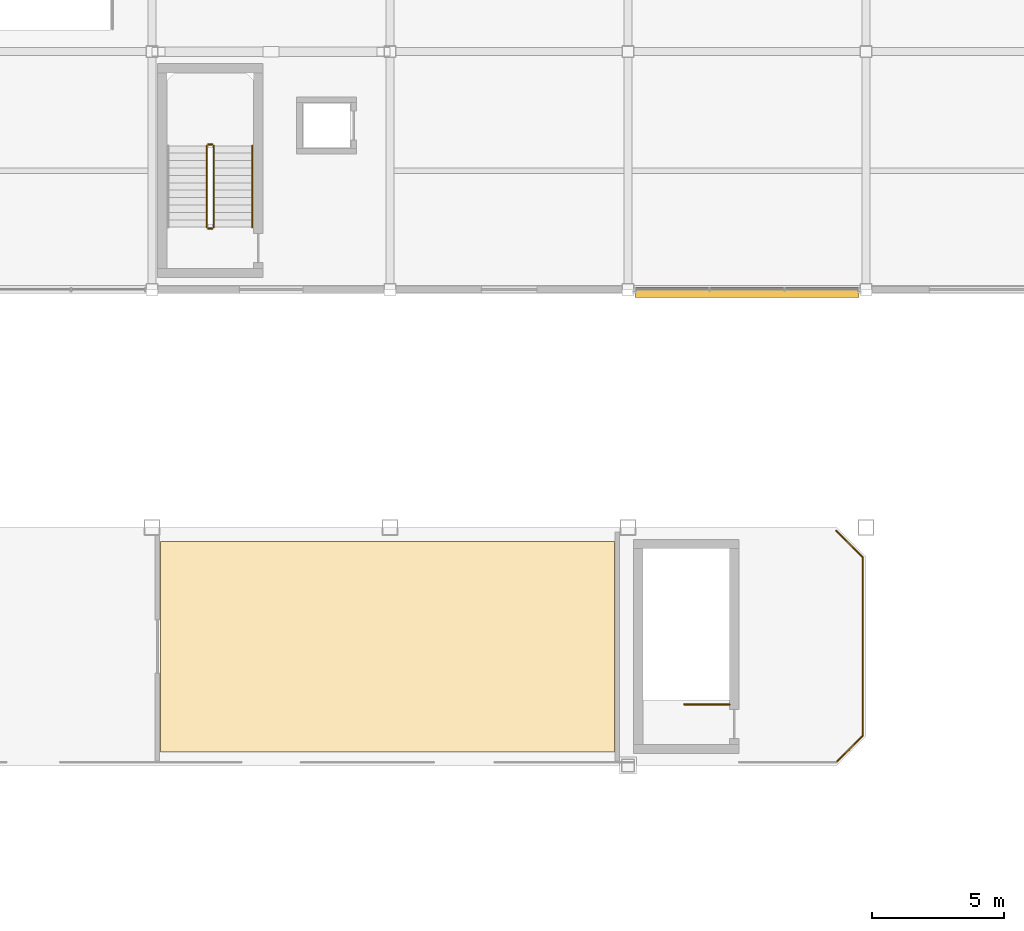
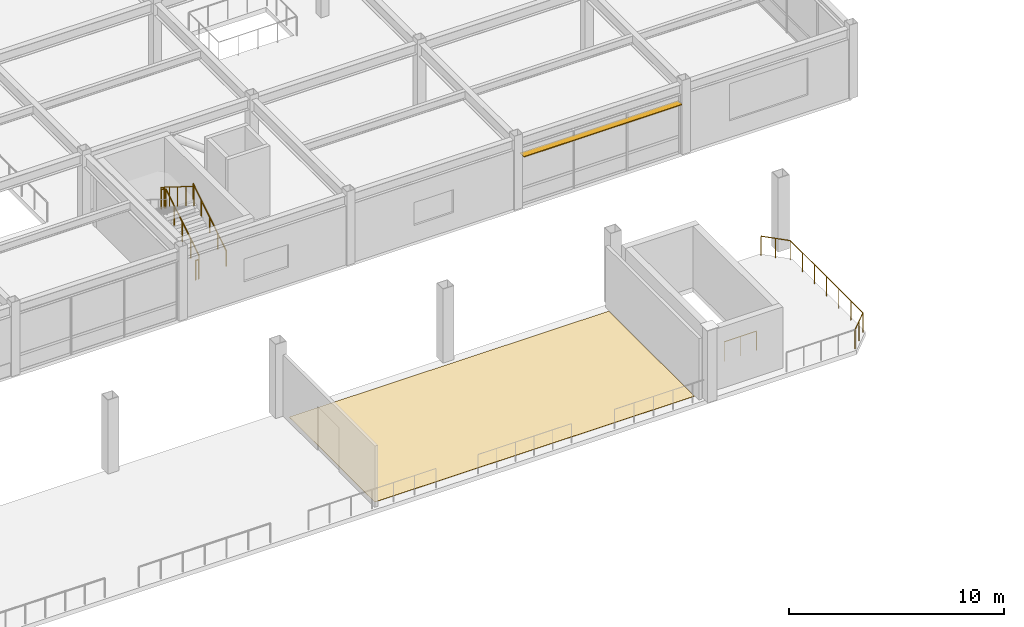
# One storey, part 97 of 105: 7 railings, 1 covering, 1 shading device.
"""IFC4 building model written with IfcOpenShell, lengths in metres."""

import ifcopenshell
import ifcopenshell.guid

model = None  # the IFC model being written
_history = None  # IfcOwnerHistory: only IFC2X3 demands one
_inside = {}  # id of a spatial element -> (the spatial element, [elements in it])
_under = {}  # id of a project, library or spatial element -> (it, [spatial elements below it])
_declared = {}  # id of a project -> (the project, [libraries it declares])
_typed = {}  # id of a type object -> (the type object, [elements of that type])
_made_of = {}  # id of a material, layer set ... -> (it, [elements and type objects made of it])


def new_model(schema):
    """Start an empty IFC model of exactly this schema.

    Asked for "IFC4X3", IfcOpenShell would pick the latest addendum, in which some entities
    have other attributes; the version numbers below select the first issue.
    IFC2X3 requires an IfcOwnerHistory on every rooted entity: one is made here for all.
    """
    global model, _history
    if schema == "IFC4X3":
        model = ifcopenshell.file(schema_version=(4, 3, 0, 0))
    else:
        model = ifcopenshell.file(schema=schema)
    _inside.clear()
    _under.clear()
    _declared.clear()
    _typed.clear()
    _made_of.clear()
    _history = None
    if model.schema == "IFC2X3":
        org = make("IfcOrganization", Name="unknown")
        user = make(
            "IfcPersonAndOrganization",
            ThePerson=make("IfcPerson", FamilyName="unknown"),
            TheOrganization=org,
        )
        app = make(
            "IfcApplication",
            ApplicationDeveloper=org,
            Version="unknown",
            ApplicationFullName="unknown",
            ApplicationIdentifier="unknown",
        )
        _history = make(
            "IfcOwnerHistory",
            OwningUser=user,
            OwningApplication=app,
            ChangeAction="ADDED",
            CreationDate=0,
        )
    return model


def make(cls, **values):
    """One entity of the class cls with the attributes given. An attribute that is None is left unset."""
    return model.create_entity(
        cls, **{name: value for name, value in values.items() if value is not None}
    )


def rooted(cls, **values):
    """An entity with a GlobalId (a new one), such as an element, a storey or a relation."""
    return make(cls, GlobalId=ifcopenshell.guid.new(), OwnerHistory=_history, **values)


def si_unit(unit_type, name, prefix=None):
    """IfcSIUnit, for example si_unit("LENGTHUNIT", "METRE", prefix="MILLI")."""
    return make("IfcSIUnit", UnitType=unit_type, Prefix=prefix, Name=name)


def assignment(units):
    """IfcUnitAssignment: the units of a project."""
    return None if units is None else make("IfcUnitAssignment", Units=units)


def point(xyz):
    """IfcCartesianPoint."""
    return None if xyz is None else make("IfcCartesianPoint", Coordinates=xyz)


def direction(xyz):
    """IfcDirection."""
    return None if xyz is None else make("IfcDirection", DirectionRatios=xyz)


def frame(location, z_axis=None, x_axis=None):
    """IfcAxis2Placement3D, a coordinate frame: its origin and axes. An axis left out is left unset."""
    return make(
        "IfcAxis2Placement3D",
        Location=point(location),
        Axis=direction(z_axis),
        RefDirection=direction(x_axis),
    )


def frame_2d(location, x_axis=None):
    """IfcAxis2Placement2D, a coordinate frame in the plane: its origin and x axis."""
    return make(
        "IfcAxis2Placement2D", Location=point(location), RefDirection=direction(x_axis)
    )


def origin():
    """The frame at (0, 0, 0) with its axes left unset."""
    return frame((0.0, 0.0, 0.0))


def origin_2d():
    """The frame at (0, 0) in the plane with its x axis left unset."""
    return frame_2d((0.0, 0.0))


def place(relative_to, where):
    """IfcLocalPlacement: puts the frame where relative to a parent placement (None: the world)."""
    return make(
        "IfcLocalPlacement", PlacementRelTo=relative_to, RelativePlacement=where
    )


def context(
    kind, dimensions, precision=None, world=None, true_north=None, identifier=None
):
    """IfcGeometricRepresentationContext, for example the 3D "Model" context."""
    return make(
        "IfcGeometricRepresentationContext",
        ContextIdentifier=identifier,
        ContextType=kind,
        CoordinateSpaceDimension=dimensions,
        Precision=precision,
        WorldCoordinateSystem=world,
        TrueNorth=true_north,
    )


def subcontext(parent, identifier, kind, view, scale=None):
    """IfcGeometricRepresentationSubContext, for example "Body" below "Model"."""
    return make(
        "IfcGeometricRepresentationSubContext",
        ContextIdentifier=identifier,
        ContextType=kind,
        ParentContext=parent,
        TargetScale=scale,
        TargetView=view,
    )


def project(units=None, contexts=None):
    """IfcProject with its units and contexts."""
    return rooted(
        "IfcProject",
        Name="project",
        RepresentationContexts=contexts,
        UnitsInContext=assignment(units),
    )


def spatial(cls, under=None, at=None, **own):
    """A site, building, storey or space (cls), placed at a placement, below another one or the project."""
    s = rooted(cls, ObjectPlacement=at, **own)
    if under is not None:
        _under.setdefault(under.id(), (under, []))[1].append(s)
    return s


def polyline(points):
    """IfcPolyline through the points."""
    return make("IfcPolyline", Points=[point(p) for p in points])


def profile(cls, at=None, kind="AREA", **sizes):
    """A parametric profile (cls). Its sizes go by their IFC names, for example OverallWidth=200.0."""
    return make(cls, ProfileType=kind, Position=at, **sizes)


def rectangle(**sizes):
    """IfcRectangleProfileDef."""
    return profile("IfcRectangleProfileDef", **sizes)


def circle(**sizes):
    """IfcCircleProfileDef."""
    return profile("IfcCircleProfileDef", **sizes)


def outline(outer, holes=None, kind="AREA"):
    """IfcArbitraryClosedProfileDef: a profile drawn as a closed curve; with holes, ...WithVoids."""
    if holes is None:
        return make("IfcArbitraryClosedProfileDef", ProfileType=kind, OuterCurve=outer)
    return make(
        "IfcArbitraryProfileDefWithVoids",
        ProfileType=kind,
        OuterCurve=outer,
        InnerCurves=holes,
    )


def extrude(swept, where, along, depth):
    """IfcExtrudedAreaSolid: the profile swept, set in the frame where, extruded along a direction by depth."""
    return make(
        "IfcExtrudedAreaSolid",
        SweptArea=swept,
        Position=where,
        ExtrudedDirection=direction(along),
        Depth=depth,
    )


def shape(context_of_items, identifier, shape_type, items):
    """IfcShapeRepresentation: the items that make up one representation, for example the "Body"."""
    return make(
        "IfcShapeRepresentation",
        ContextOfItems=context_of_items,
        RepresentationIdentifier=identifier,
        RepresentationType=shape_type,
        Items=items,
    )


def material(Name=None, Category=None):
    """IfcMaterial."""
    return make("IfcMaterial", Name=Name, Category=Category)


def layer(
    of_material, thickness, ventilated=None, Name=None, Category=None, Priority=None
):
    """IfcMaterialLayer: one layer of a wall or slab, of a material (None: an air gap)."""
    return make(
        "IfcMaterialLayer",
        Material=of_material,
        LayerThickness=thickness,
        IsVentilated=ventilated,
        Name=Name,
        Category=Category,
        Priority=Priority,
    )


def layer_set(layers, Name=None):
    """IfcMaterialLayerSet."""
    return make("IfcMaterialLayerSet", MaterialLayers=layers, LayerSetName=Name)


def material_profile(
    of_material, cross_section, Name=None, Category=None, Priority=None
):
    """IfcMaterialProfile: a cross section and its material."""
    return make(
        "IfcMaterialProfile",
        Name=Name,
        Material=of_material,
        Profile=cross_section,
        Priority=Priority,
        Category=Category,
    )


def profile_set(profiles, Name=None, composite=None):
    """IfcMaterialProfileSet."""
    return make(
        "IfcMaterialProfileSet",
        Name=Name,
        MaterialProfiles=profiles,
        CompositeProfile=composite,
    )


def made_of(thing, what):
    """Note that an element or type object is made of a material, layer set ...; save() writes the relation."""
    if what is not None:
        _made_of.setdefault(what.id(), (what, []))[1].append(thing)
    return thing


def type_object(cls, material=None, **own):
    """A type object (cls), such as IfcWallType, which elements share."""
    return made_of(rooted(cls, **own), material)


def element(
    cls,
    number,
    at=None,
    inside=None,
    cuts=None,
    type_object=None,
    material=None,
    context=None,
    identifier="Body",
    shape_type=None,
    held_by="IfcProductDefinitionShape",
    body=None,
    shapes=None,
    **own,
):
    """One element of the class cls, such as IfcWall. Its Tag is "e" and its number.

    at: its placement. inside: the storey or other place that contains it. cuts: it is an
    opening in that element (IfcRelVoidsElement). A single representation is given by context,
    identifier, shape_type and body (its items); several are given by shapes. held_by: the class
    of the entity that holds the representations. save() writes the other relations.
    """
    e = rooted(cls, Tag="e%d" % number, ObjectPlacement=at, **own)
    if body is not None:
        shapes = [shape(context, identifier, shape_type, body)]
    if shapes is not None:
        e.Representation = make(held_by, Representations=shapes)
    if inside is not None:
        _inside.setdefault(inside.id(), (inside, []))[1].append(e)
    if cuts is not None:
        rooted(
            "IfcRelVoidsElement", RelatingBuildingElement=cuts, RelatedOpeningElement=e
        )
    if type_object is not None:
        _typed.setdefault(type_object.id(), (type_object, []))[1].append(e)
    return made_of(e, material)


def aggregate(whole, parts):
    """IfcRelAggregates: a whole, such as a stair, and the parts it consists of."""
    return rooted("IfcRelAggregates", RelatingObject=whole, RelatedObjects=parts)


def save(model, path):
    """Write the relations noted so far, then the file.

    IfcRelAggregates (storeys below a building ...), IfcRelContainedInSpatialStructure (elements
    in a storey), IfcRelDefinesByType, IfcRelAssociatesMaterial and IfcRelDeclares: one each for
    every whole, place, type object, material and project.
    """
    for whole, parts in _under.values():
        aggregate(whole, parts)
    for where, things in _inside.values():
        rooted(
            "IfcRelContainedInSpatialStructure",
            RelatedElements=things,
            RelatingStructure=where,
        )
    for kind, things in _typed.values():
        rooted("IfcRelDefinesByType", RelatedObjects=things, RelatingType=kind)
    for what, things in _made_of.values():
        rooted("IfcRelAssociatesMaterial", RelatedObjects=things, RelatingMaterial=what)
    for by, libraries in _declared.values():
        rooted("IfcRelDeclares", RelatingContext=by, RelatedDefinitions=libraries)
    model.write(path)


model = new_model("IFC4")

# Units and contexts
model_context = context("Model", 3, precision=1e-05, world=origin(), true_north=direction((0.0, 1.0)))
body_context = subcontext(model_context, "Body", "Model", "MODEL_VIEW")
ifc_project = project(units=[si_unit("LENGTHUNIT", "METRE"), si_unit("AREAUNIT", "SQUARE_METRE"), si_unit("VOLUMEUNIT", "CUBIC_METRE"), si_unit("PLANEANGLEUNIT", "RADIAN"), si_unit("MASSUNIT", "GRAM", prefix="KILO")], contexts=[model_context])

# Site, building, storey
site_placement = place(None, origin())
site = spatial("IfcSite", under=ifc_project, at=site_placement, CompositionType="ELEMENT")
building_placement = place(site_placement, origin())
building = spatial("IfcBuilding", under=site, at=building_placement, Name="Suzunagisa Mobility Hub", CompositionType="ELEMENT")
storey_placement = place(building_placement, frame((0.0, 0.0, 5.10009765625)))
storey = spatial("IfcBuildingStorey", under=building, at=storey_placement, Name="L01", CompositionType="ELEMENT", Elevation=5.10009765625)

# Railings
ifc_material_1 = material(Name="Stainless Steel SUS304", Category="metal")
railing_type_1 = type_object("IfcRailingType", Name="Interior Well Guardrail IGR-01", PredefinedType="GUARDRAIL", material=ifc_material_1)
railing_1_placement = place(storey_placement, frame((111.840087890625, 64.31005859375, 0.0)))
element("IfcRailing", 1, at=railing_1_placement, inside=storey, type_object=railing_type_1, Name="L01 ST-04 top well guard 1", PredefinedType="GUARDRAIL", context=body_context, shape_type="SweptSolid", body=[
    extrude(circle(Radius=0.02392578125, at=origin_2d()), frame((0.0, 0.0, 1.09619140625), z_axis=(-1.0, 0.0, 0.0), x_axis=(0.0, -1.0, 0.0)), (0.0, 0.0, 1.0), 1.719970703125),
    extrude(circle(Radius=0.02099609375, at=origin_2d()), origin(), (0.0, 0.0, 1.0), 1.072021484375),
    extrude(circle(Radius=0.02099609375, at=origin_2d()), frame((-0.85986328125, 0.0, 0.0)), (0.0, 0.0, 1.0), 1.072021484375),
    extrude(circle(Radius=0.02099609375, at=origin_2d()), frame((-1.719970703125, 0.0, 0.0)), (0.0, 0.0, 1.0), 1.072021484375),
])
railing_2_placement = place(storey_placement, frame((92.330078125, 82.360107421875, 0.1748046875)))
element("IfcRailing", 2, at=railing_2_placement, inside=storey, type_object=railing_type_1, Name="L01 ST-08 stair guard 1", PredefinedType="GUARDRAIL", context=body_context, shape_type="SweptSolid", body=[
    extrude(circle(Radius=0.02392578125, at=origin_2d()), frame((0.0, 0.0, 1.09619140625), z_axis=(0.0, 0.847979421464, 0.530029150871), x_axis=(-1.0, 0.0, 0.0)), (0.0, 0.0, 1.0), 3.632080078125),
    extrude(circle(Radius=0.02099609375, at=origin_2d()), origin(), (0.0, 0.0, 1.0), 1.072021484375),
    extrude(circle(Radius=0.02099609375, at=origin_2d()), frame((0.0, 0.77001953125, 0.481201171875)), (0.0, 0.0, 1.0), 1.072021484375),
    extrude(circle(Radius=0.02099609375, at=origin_2d()), frame((0.0, 1.5400390625, 0.96240234375)), (0.0, 0.0, 1.0), 1.072021484375),
    extrude(circle(Radius=0.02099609375, at=origin_2d()), frame((0.0, 2.309814453125, 1.44384765625)), (0.0, 0.0, 1.0), 1.072021484375),
    extrude(circle(Radius=0.02099609375, at=origin_2d()), frame((0.0, 3.079833984375, 1.925048828125)), (0.0, 0.0, 1.0), 1.072021484375),
])
railing_3_placement = place(storey_placement, frame((92.280029296875, 85.489990234375, 2.099853515625)))
element("IfcRailing", 3, at=railing_3_placement, inside=storey, type_object=railing_type_1, Name="L01 ST-08 stair guard 2", PredefinedType="GUARDRAIL", context=body_context, shape_type="SweptSolid", body=[
    extrude(circle(Radius=0.02392578125, at=origin_2d()), frame((0.0, 0.0, 1.09619140625), z_axis=(-1.0, 0.0, 0.0), x_axis=(0.0, -1.0, 0.0)), (0.0, 0.0, 1.0), 0.159912109375),
    extrude(circle(Radius=0.02099609375, at=origin_2d()), origin(), (0.0, 0.0, 1.0), 1.072021484375),
    extrude(circle(Radius=0.02099609375, at=origin_2d()), frame((-0.159912109375, 0.0, 0.0)), (0.0, 0.0, 1.0), 1.072021484375),
])
railing_4_placement = place(storey_placement, frame((92.070068359375, 85.43994140625, 2.27490234375)))
element("IfcRailing", 4, at=railing_4_placement, inside=storey, type_object=railing_type_1, Name="L01 ST-08 stair guard 3", PredefinedType="GUARDRAIL", context=body_context, shape_type="SweptSolid", body=[
    extrude(circle(Radius=0.02392578125, at=origin_2d()), frame((0.0, 0.0, 1.09619140625), z_axis=(0.0, -0.847979421464, 0.530029150871), x_axis=(1.0, 0.0, 0.0)), (0.0, 0.0, 1.0), 3.632080078125),
    extrude(circle(Radius=0.02099609375, at=origin_2d()), origin(), (0.0, 0.0, 1.0), 1.072021484375),
    extrude(circle(Radius=0.02099609375, at=origin_2d()), frame((0.0, -0.77001953125, 0.481201171875)), (0.0, 0.0, 1.0), 1.072021484375),
    extrude(circle(Radius=0.02099609375, at=origin_2d()), frame((0.0, -1.5400390625, 0.96240234375)), (0.0, 0.0, 1.0), 1.072021484375),
    extrude(circle(Radius=0.02099609375, at=origin_2d()), frame((0.0, -2.309814453125, 1.44384765625)), (0.0, 0.0, 1.0), 1.072021484375),
    extrude(circle(Radius=0.02099609375, at=origin_2d()), frame((0.0, -3.079833984375, 1.925048828125)), (0.0, 0.0, 1.0), 1.072021484375),
])
railing_5_placement = place(storey_placement, frame((92.280029296875, 82.31005859375, 0.0)))
element("IfcRailing", 5, at=railing_5_placement, inside=storey, type_object=railing_type_1, Name="L01 ST-08 stair guard 4", PredefinedType="GUARDRAIL", context=body_context, shape_type="SweptSolid", body=[
    extrude(circle(Radius=0.02392578125, at=origin_2d()), frame((0.0, 0.0, 1.09619140625), z_axis=(-1.0, 0.0, 0.0), x_axis=(0.0, -1.0, 0.0)), (0.0, 0.0, 1.0), 0.159912109375),
    extrude(circle(Radius=0.02099609375, at=origin_2d()), origin(), (0.0, 0.0, 1.0), 1.072021484375),
    extrude(circle(Radius=0.02099609375, at=origin_2d()), frame((-0.159912109375, 0.0, 0.0)), (0.0, 0.0, 1.0), 1.072021484375),
])
railing_6_placement = place(storey_placement, frame((115.8798828125, 62.1201171875, 0.0)))
element("IfcRailing", 6, at=railing_6_placement, inside=storey, type_object=railing_type_1, Name="L01 Concourse Mezzanine East Edge Guardrail MG-1", PredefinedType="GUARDRAIL", context=body_context, shape_type="SweptSolid", body=[
    extrude(circle(Radius=0.02392578125, at=origin_2d()), frame((0.0, 0.0, 1.09619140625), z_axis=(0.707106781187, 0.707106781187, 0.0), x_axis=(-0.707106781187, 0.707106781187, 0.0)), (0.0, 0.0, 1.0), 1.414306640625),
    extrude(circle(Radius=0.02392578125, at=origin_2d()), frame((1.0, 1.0, 1.09619140625), z_axis=(0.0, 1.0, 0.0), x_axis=(-1.0, 0.0, 0.0)), (0.0, 0.0, 1.0), 6.759765625),
    extrude(circle(Radius=0.02392578125, at=origin_2d()), frame((1.0, 7.759765625, 1.09619140625), z_axis=(-0.707106781187, 0.707106781187, 0.0), x_axis=(-0.707106781187, -0.707106781187, 0.0)), (0.0, 0.0, 1.0), 1.414306640625),
    extrude(circle(Radius=0.02099609375, at=origin_2d()), origin(), (0.0, 0.0, 1.0), 1.072021484375),
    extrude(circle(Radius=0.02099609375, at=origin_2d()), frame((0.5, 0.5, 0.0)), (0.0, 0.0, 1.0), 1.072021484375),
    extrude(circle(Radius=0.02099609375, at=origin_2d()), frame((1.0, 1.0, 0.0)), (0.0, 0.0, 1.0), 1.072021484375),
    extrude(circle(Radius=0.02099609375, at=origin_2d()), frame((1.0, 2.126708984375, 0.0)), (0.0, 0.0, 1.0), 1.072021484375),
    extrude(circle(Radius=0.02099609375, at=origin_2d()), frame((1.0, 3.253173828125, 0.0)), (0.0, 0.0, 1.0), 1.072021484375),
    extrude(circle(Radius=0.02099609375, at=origin_2d()), frame((1.0, 4.3798828125, 0.0)), (0.0, 0.0, 1.0), 1.072021484375),
    extrude(circle(Radius=0.02099609375, at=origin_2d()), frame((1.0, 5.506591796875, 0.0)), (0.0, 0.0, 1.0), 1.072021484375),
    extrude(circle(Radius=0.02099609375, at=origin_2d()), frame((1.0, 6.633056640625, 0.0)), (0.0, 0.0, 1.0), 1.072021484375),
    extrude(circle(Radius=0.02099609375, at=origin_2d()), frame((1.0, 7.759765625, 0.0)), (0.0, 0.0, 1.0), 1.072021484375),
    extrude(circle(Radius=0.02099609375, at=origin_2d()), frame((0.5, 8.259765625, 0.0)), (0.0, 0.0, 1.0), 1.072021484375),
    extrude(circle(Radius=0.02099609375, at=origin_2d()), frame((0.0, 8.759765625, 0.0)), (0.0, 0.0, 1.0), 1.072021484375),
])

# Covering
ifc_material_2 = material(Name="Polished Aggregate Terrazzo Finish")
ifc_layer = layer(ifc_material_2, 0.02001953125)
ifc_layer_set = layer_set([ifc_layer], Name="Polished Aggregate Terrazzo Finish")
covering_type = type_object("IfcCoveringType", Name="Polished Terrazzo Heavy-Traffic Flooring FLR-01", PredefinedType="FLOORING", material=ifc_layer_set)
covering_placement = place(storey_placement, origin())
element("IfcCovering", 7, at=covering_placement, inside=storey, type_object=covering_type, Name="L01 Transit VIP and Family Quiet Waiting Lounge Terrazzo Flooring", PredefinedType="FLOORING", context=body_context, shape_type="SweptSolid", body=[
    extrude(outline(polyline([(90.320068359375, 62.52001953125), (90.320068359375, 70.47998046875), (107.47998046875, 70.47998046875), (107.47998046875, 62.52001953125), (90.320068359375, 62.52001953125)])), origin(), (0.0, 0.0, 1.0), 0.02001953125),
])

# Shading device
ifc_material_3 = material(Name="Fluoropolymer-Coated Extruded Aluminum 6063-T5", Category="aluminium")
ifc_material_profile = material_profile(ifc_material_3, rectangle(XDim=0.360107421875, YDim=0.050048828125, at=origin_2d()), Name="FIN-360x50")
ifc_profile_set = profile_set([ifc_material_profile], Name="Fluoropolymer-Coated Extruded Aluminum 6063-T5")
shading_device_type = type_object("IfcShadingDeviceType", Name="Streamline Aluminum Sunshade SF-04 FIN-360x50", PredefinedType="USERDEFINED", material=ifc_profile_set)
shading_device_placement = place(storey_placement, frame((108.2548828125, 79.889892578125, 2.90185546875), z_axis=(1.0, 0.0, 0.0), x_axis=(0.0, 1.0, 0.0)))
element("IfcShadingDevice", 8, at=shading_device_placement, inside=storey, type_object=shading_device_type, Name="L01 Streamline Speed-Rail Sunshade Fin SF-20", ObjectType="SUNSHADE FIN", PredefinedType="USERDEFINED", context=body_context, shape_type="SweptSolid", body=[
    extrude(rectangle(XDim=0.360107421875, YDim=0.050048828125, at=origin_2d()), origin(), (0.0, 0.0, 1.0), 8.490234375),
])

# Railing
railing_type_2 = type_object("IfcRailingType", Name="Tubular Stainless Stair Handrail IHR-01", PredefinedType="HANDRAIL", material=ifc_material_1)
railing_7_placement = place(storey_placement, frame((93.7900390625, 82.360107421875, 0.1748046875)))
element("IfcRailing", 9, at=railing_7_placement, inside=storey, type_object=railing_type_2, Name="L01 ST-08 stair handrail 1", PredefinedType="HANDRAIL", context=body_context, shape_type="SweptSolid", body=[
    extrude(circle(Radius=0.02392578125, at=origin_2d()), frame((0.0, 0.0, 0.8759765625), z_axis=(0.0, 0.847979421464, 0.530029150871), x_axis=(-1.0, 0.0, 0.0)), (0.0, 0.0, 1.0), 3.632080078125),
    extrude(circle(Radius=0.02099609375, at=origin_2d()), origin(), (0.0, 0.0, 1.0), 0.851806640625),
    extrude(circle(Radius=0.02099609375, at=origin_2d()), frame((0.0, 0.77001953125, 0.481201171875)), (0.0, 0.0, 1.0), 0.851806640625),
    extrude(circle(Radius=0.02099609375, at=origin_2d()), frame((0.0, 1.5400390625, 0.96240234375)), (0.0, 0.0, 1.0), 0.851806640625),
    extrude(circle(Radius=0.02099609375, at=origin_2d()), frame((0.0, 2.309814453125, 1.44384765625)), (0.0, 0.0, 1.0), 0.851806640625),
    extrude(circle(Radius=0.02099609375, at=origin_2d()), frame((0.0, 3.079833984375, 1.925048828125)), (0.0, 0.0, 1.0), 0.851806640625),
])

save(model, "model.ifc")
